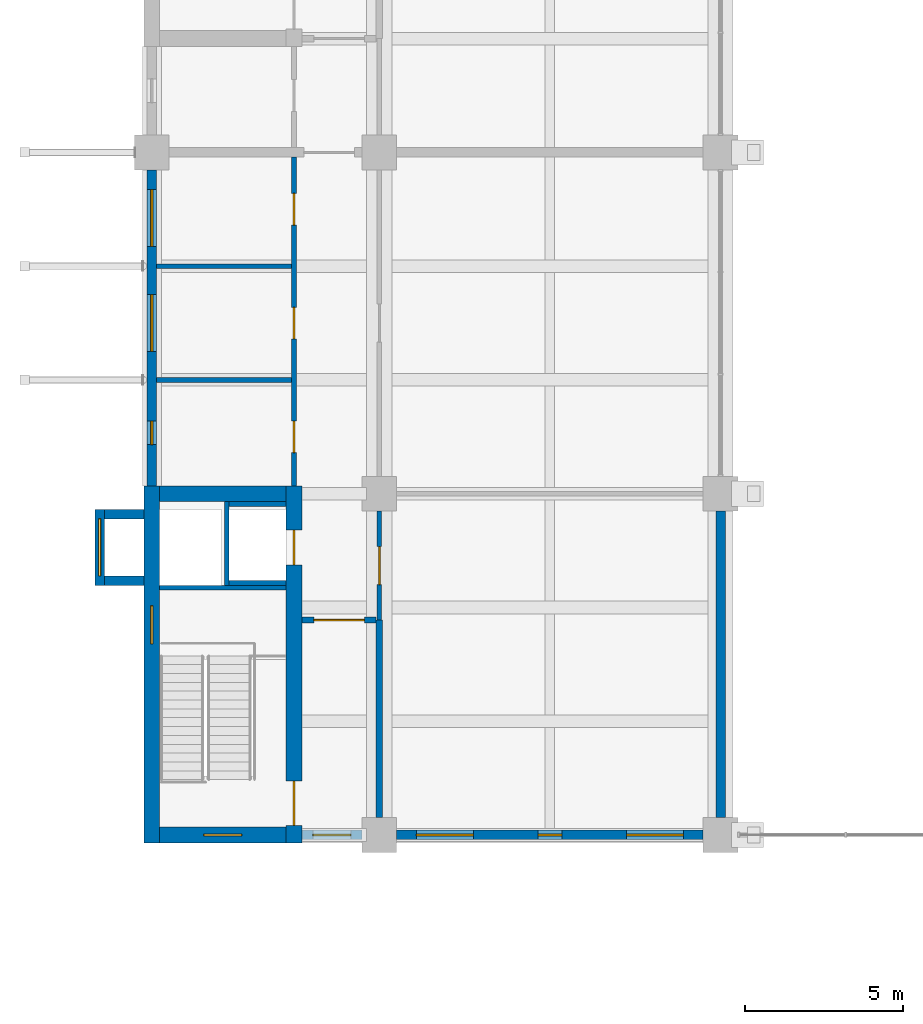
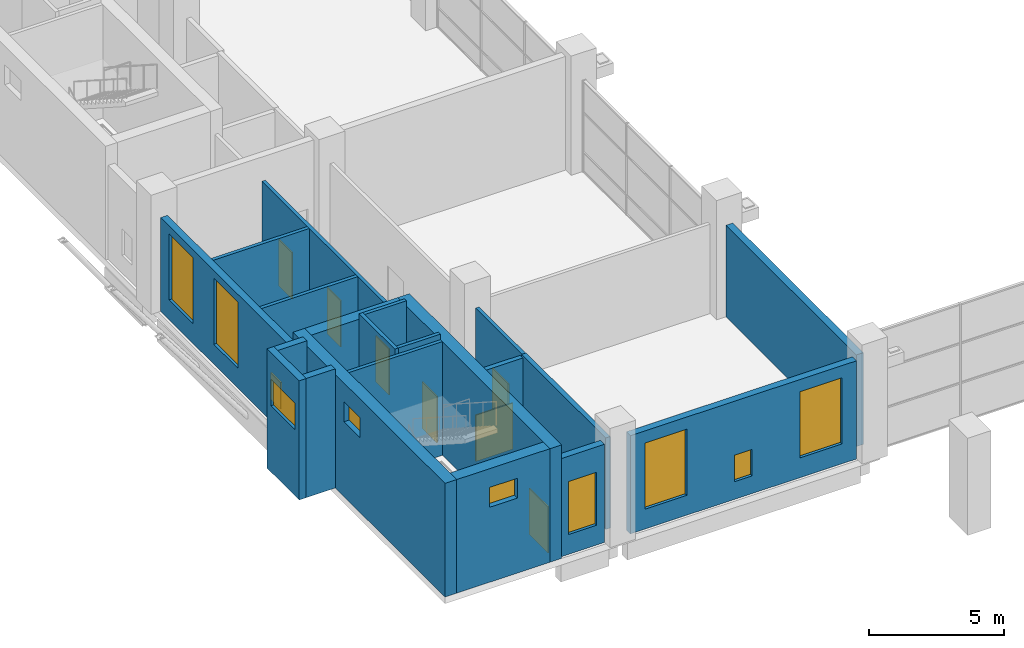
# One storey, part 17 of 38: 21 walls, 10 windows, 7 doors, 17 openings.
"""IFC4 building model written with IfcOpenShell, lengths in metres."""

from ifc_helpers import new_model, si_unit, direction, frame, frame_2d, origin, place, context, subcontext, project, spatial, rectangle, extrude, material, layer, layer_set, type_object, element, fill, save


model = new_model("IFC4")

# Units and contexts
model_context = context("Model", 3, precision=1e-05, world=origin(), true_north=direction((0.0, 1.0)))
body_context = subcontext(model_context, "Body", "Model", "MODEL_VIEW")
ifc_project = project(units=[si_unit("LENGTHUNIT", "METRE"), si_unit("AREAUNIT", "SQUARE_METRE"), si_unit("VOLUMEUNIT", "CUBIC_METRE"), si_unit("PLANEANGLEUNIT", "RADIAN"), si_unit("MASSUNIT", "GRAM", prefix="KILO")], contexts=[model_context])

# Site, building, storey
site_placement = place(None, origin())
site = spatial("IfcSite", under=ifc_project, at=site_placement, CompositionType="ELEMENT")
building_placement = place(site_placement, origin())
building = spatial("IfcBuilding", under=site, at=building_placement, Name="Basin Gate Institute", CompositionType="ELEMENT")
storey_placement = place(building_placement, frame((0.0, 0.0, 16.800048828125)))
storey = spatial("IfcBuildingStorey", under=building, at=storey_placement, Name="L03", CompositionType="ELEMENT", Elevation=16.800048828125)

# Wall
ifc_material_1 = material(Name="Fire-resisting board wall assembly")
ifc_layer_1 = layer(ifc_material_1, 0.300048828125)
ifc_layer_set_1 = layer_set([ifc_layer_1], Name="Atrium enclosure wall EW4")
wall_type_1 = type_object("IfcWallType", Name="Atrium enclosure wall EW4", PredefinedType="STANDARD", material=ifc_layer_set_1)
wall_1_placement = place(storey_placement, frame((79.199951171875, 35.64990234375, 0.0), z_axis=(0.0, 0.0, 1.0), x_axis=(0.0, 1.0, 0.0)))
element("IfcWall", 1, at=wall_1_placement, inside=storey, type_object=wall_type_1, material=ifc_layer_set_1, Name="Atrium enclosure wall W wing bay 1 L03", PredefinedType="STANDARD", context=body_context, shape_type="SweptSolid", body=[
    extrude(rectangle(XDim=9.7001953125, YDim=0.300048828125, at=frame_2d((4.85009765625, 0.0))), origin(), (0.0, 0.0, 1.0), 4.14990234375),
])

# Wall, opening, door
ifc_material_2 = material(Name="Fire-rated masonry", Category="masonry")
ifc_layer_2 = layer(ifc_material_2, 0.199951171875)
ifc_layer_set_2 = layer_set([ifc_layer_2], Name="Enclosure wall PW2 200 EI 60")
wall_type_2 = type_object("IfcWallType", Name="Enclosure wall PW2 200 EI 60", PredefinedType="PARTITIONING", material=ifc_layer_set_2)
wall_2_placement = place(storey_placement, frame((65.949951171875, 41.89990234375, 0.0), z_axis=(0.0, 0.0, 1.0), x_axis=(1.0, 0.0, 0.0)))
wall_2 = element("IfcWall", 2, at=wall_2_placement, inside=storey, type_object=wall_type_2, material=ifc_layer_set_2, Name="Smoke lobby enclosure wall PW2 L03", PredefinedType="PARTITIONING", context=body_context, shape_type="SweptSolid", body=[
    extrude(rectangle(XDim=2.35009765625, YDim=0.199951171875, at=frame_2d((1.175048828125, 0.0))), origin(), (0.0, 0.0, 1.0), 4.050048828125),
])
opening_1_placement = place(wall_2_placement, frame((0.375, 0.0, 0.0)))
opening_1 = element("IfcOpeningElement", 3, at=opening_1_placement, cuts=wall_2, Name="Opening DR191", PredefinedType="OPENING", context=body_context, shape_type="SweptSolid", body=[
    extrude(rectangle(XDim=1.60009765625, YDim=2.10009765625, at=frame_2d((0.800048828125, 1.050048828125))), frame((0.0, 0.10986328125, 0.0), z_axis=(0.0, -1.0, 0.0), x_axis=(1.0, 0.0, 0.0)), (0.0, 0.0, 1.0), 0.219970703125),
])
ifc_material_3 = material(Name="Steel fire door", Category="steel")
door_type_1 = type_object("IfcDoorType", Name="FD60 Smoke lobby door pair D8", OperationType="DOUBLE_DOOR_SINGLE_SWING", PredefinedType="DOOR", material=ifc_material_3)
door_1_placement = place(opening_1_placement, frame((1.60009765625, 0.0, 0.0), z_axis=(0.0, 0.0, 1.0), x_axis=(-1.0, 0.0, 0.0)))
door_1 = element("IfcDoor", 4, at=door_1_placement, inside=storey, type_object=door_type_1, material=ifc_material_3, Name="Smoke lobby door SS1 L03", OperationType="DOUBLE_DOOR_SINGLE_SWING", OverallHeight=2.10009765625, OverallWidth=1.60009765625, PredefinedType="DOOR", context=body_context, shape_type="SweptSolid", body=[
    extrude(rectangle(XDim=1.60009765625, YDim=2.10009765625, at=frame_2d((0.800048828125, 1.050048828125))), frame((0.0, 0.02490234375, 0.0), z_axis=(0.0, -1.0, 0.0), x_axis=(1.0, 0.0, 0.0)), (0.0, 0.0, 1.0), 0.050048828125),
])
fill(opening_1, door_1)

# Wall
wall_3_placement = place(storey_placement, frame((68.39990234375, 35.64990234375, 0.0), z_axis=(0.0, 0.0, 1.0), x_axis=(0.0, 1.0, 0.0)))
element("IfcWall", 5, at=wall_3_placement, inside=storey, type_object=wall_type_2, material=ifc_layer_set_2, Name="Smoke lobby enclosure wall PW2 L03", PredefinedType="PARTITIONING", context=body_context, shape_type="SweptSolid", body=[
    extrude(rectangle(XDim=6.25, YDim=0.199951171875, at=frame_2d((3.125, 0.0))), origin(), (0.0, 0.0, 1.0), 4.14990234375),
])

# Wall, openings, windows
ifc_material_4 = material(Name="Aluminium-faced insulated panel wall", Category="aluminium")
ifc_layer_3 = layer(ifc_material_4, 0.300048828125)
ifc_layer_set_3 = layer_set([ifc_layer_3], Name="External wall EW1 EI 120")
wall_type_3 = type_object("IfcWallType", Name="External wall EW1 EI 120", PredefinedType="STANDARD", material=ifc_layer_set_3)
wall_4_placement = place(storey_placement, frame((61.199951171875, 46.14990234375, 0.0), z_axis=(0.0, 0.0, 1.0), x_axis=(0.0, 1.0, 0.0)))
wall_4 = element("IfcWall", 6, at=wall_4_placement, inside=storey, type_object=wall_type_3, material=ifc_layer_set_3, Name="External wall W facade L03 1", PredefinedType="STANDARD", context=body_context, shape_type="SweptSolid", body=[
    extrude(rectangle(XDim=10.0, YDim=0.300048828125, at=frame_2d((5.0, 0.0))), origin(), (0.0, 0.0, 1.0), 4.25),
])
opening_2_placement = place(wall_4_placement, frame((1.300048828125, 0.0, 0.800048828125)))
opening_2 = element("IfcOpeningElement", 7, at=opening_2_placement, cuts=wall_4, Name="Opening WN3", PredefinedType="OPENING", context=body_context, shape_type="SweptSolid", body=[
    extrude(rectangle(XDim=0.75, YDim=1.199951171875, at=frame_2d((0.375, 0.60009765625))), frame((0.0, 0.16015625, 0.0), z_axis=(0.0, -1.0, 0.0), x_axis=(1.0, 0.0, 0.0)), (0.0, 0.0, 1.0), 0.320068359375),
])
opening_3_placement = place(wall_4_placement, frame((4.25, 0.0, 0.89990234375)))
opening_3 = element("IfcOpeningElement", 8, at=opening_3_placement, cuts=wall_4, Name="Opening WN2", PredefinedType="OPENING", context=body_context, shape_type="SweptSolid", body=[
    extrude(rectangle(XDim=1.800048828125, YDim=3.0, at=frame_2d((0.89990234375, 1.5))), frame((0.0, 0.16015625, 0.0), z_axis=(0.0, -1.0, 0.0), x_axis=(1.0, 0.0, 0.0)), (0.0, 0.0, 1.0), 0.320068359375),
])
opening_4_placement = place(wall_4_placement, frame((7.574951171875, 0.0, 0.89990234375)))
opening_4 = element("IfcOpeningElement", 9, at=opening_4_placement, cuts=wall_4, Name="Opening WN2", PredefinedType="OPENING", context=body_context, shape_type="SweptSolid", body=[
    extrude(rectangle(XDim=1.800048828125, YDim=3.0, at=frame_2d((0.89990234375, 1.5))), frame((0.0, 0.16015625, 0.0), z_axis=(0.0, -1.0, 0.0), x_axis=(1.0, 0.0, 0.0)), (0.0, 0.0, 1.0), 0.320068359375),
])
ifc_material_5 = material(Name="Aluminium-framed double glazing", Category="aluminium")
window_type_1 = type_object("IfcWindowType", Name="Emergency entry panel WN3", PartitioningType="SINGLE_PANEL", PredefinedType="WINDOW", material=ifc_material_5)
window_1_placement = place(opening_2_placement, origin())
window_1 = element("IfcWindow", 10, at=window_1_placement, inside=storey, type_object=window_type_1, material=ifc_material_5, Name="Emergency entry panel W facade L03 bay 4", OverallHeight=1.199951171875, OverallWidth=0.75, PartitioningType="SINGLE_PANEL", PredefinedType="WINDOW", context=body_context, shape_type="SweptSolid", body=[
    extrude(rectangle(XDim=0.75, YDim=1.199951171875, at=frame_2d((0.375, 0.60009765625))), frame((0.0, 0.030029296875, 0.0), z_axis=(0.0, -1.0, 0.0), x_axis=(1.0, 0.0, 0.0)), (0.0, 0.0, 1.0), 0.06005859375),
])
fill(opening_2, window_1)
ifc_material_6 = material(Name="Aluminium-framed double glazing", Category="aluminium")
window_type_2 = type_object("IfcWindowType", Name="Podium window WN2", PartitioningType="SINGLE_PANEL", PredefinedType="WINDOW", material=ifc_material_6)
window_2_placement = place(opening_3_placement, origin())
window_2 = element("IfcWindow", 11, at=window_2_placement, inside=storey, type_object=window_type_2, material=ifc_material_6, Name="Podium window W facade L03 bay 5", OverallHeight=3.0, OverallWidth=1.800048828125, PartitioningType="SINGLE_PANEL", PredefinedType="WINDOW", context=body_context, shape_type="SweptSolid", body=[
    extrude(rectangle(XDim=1.800048828125, YDim=3.0, at=frame_2d((0.89990234375, 1.5))), frame((0.0, 0.030029296875, 0.0), z_axis=(0.0, -1.0, 0.0), x_axis=(1.0, 0.0, 0.0)), (0.0, 0.0, 1.0), 0.06005859375),
])
fill(opening_3, window_2)
window_3_placement = place(opening_4_placement, origin())
window_3 = element("IfcWindow", 12, at=window_3_placement, inside=storey, type_object=window_type_2, material=ifc_material_6, Name="Podium window W facade L03 bay 6", OverallHeight=3.0, OverallWidth=1.800048828125, PartitioningType="SINGLE_PANEL", PredefinedType="WINDOW", context=body_context, shape_type="SweptSolid", body=[
    extrude(rectangle(XDim=1.800048828125, YDim=3.0, at=frame_2d((0.89990234375, 1.5))), frame((0.0, 0.030029296875, 0.0), z_axis=(0.0, -1.0, 0.0), x_axis=(1.0, 0.0, 0.0)), (0.0, 0.0, 1.0), 0.06005859375),
])
fill(opening_4, window_3)

# Wall, opening, window
wall_5_placement = place(storey_placement, frame((65.949951171875, 35.10009765625, 0.0), z_axis=(0.0, 0.0, 1.0), x_axis=(1.0, 0.0, 0.0)))
wall_5 = element("IfcWall", 13, at=wall_5_placement, inside=storey, type_object=wall_type_3, material=ifc_layer_set_3, Name="External end wall W wing south L03 1", PredefinedType="STANDARD", context=body_context, shape_type="SweptSolid", body=[
    extrude(rectangle(XDim=1.900146484375, YDim=0.300048828125, at=frame_2d((0.9501953125, 0.0))), origin(), (0.0, 0.0, 1.0), 4.449951171875),
])
opening_5_placement = place(wall_5_placement, frame((0.35009765625, 0.0, 0.89990234375)))
opening_5 = element("IfcOpeningElement", 14, at=opening_5_placement, cuts=wall_5, Name="Opening WN4", PredefinedType="OPENING", context=body_context, shape_type="SweptSolid", body=[
    extrude(rectangle(XDim=1.199951171875, YDim=2.39990234375, at=frame_2d((0.60009765625, 1.199951171875))), frame((0.0, 0.16015625, 0.0), z_axis=(0.0, -1.0, 0.0), x_axis=(1.0, 0.0, 0.0)), (0.0, 0.0, 1.0), 0.320068359375),
])
ifc_material_7 = material(Name="Aluminium-framed double glazing", Category="aluminium")
window_type_3 = type_object("IfcWindowType", Name="Corridor end window WN4", PartitioningType="SINGLE_PANEL", PredefinedType="WINDOW", material=ifc_material_7)
window_4_placement = place(opening_5_placement, origin())
window_4 = element("IfcWindow", 15, at=window_4_placement, inside=storey, type_object=window_type_3, material=ifc_material_7, Name="Corridor end window W wing S L03", OverallHeight=2.39990234375, OverallWidth=1.199951171875, PartitioningType="SINGLE_PANEL", PredefinedType="WINDOW", context=body_context, shape_type="SweptSolid", body=[
    extrude(rectangle(XDim=1.199951171875, YDim=2.39990234375, at=frame_2d((0.60009765625, 1.199951171875))), frame((0.0, 0.030029296875, 0.0), z_axis=(0.0, -1.0, 0.0), x_axis=(1.0, 0.0, 0.0)), (0.0, 0.0, 1.0), 0.06005859375),
])
fill(opening_5, window_4)

# Wall, openings, windows
wall_6_placement = place(storey_placement, frame((68.949951171875, 35.10009765625, 0.0), z_axis=(0.0, 0.0, 1.0), x_axis=(1.0, 0.0, 0.0)))
wall_6 = element("IfcWall", 16, at=wall_6_placement, inside=storey, type_object=wall_type_3, material=ifc_layer_set_3, Name="External end wall W wing south L03 2", PredefinedType="STANDARD", context=body_context, shape_type="SweptSolid", body=[
    extrude(rectangle(XDim=9.699951171875, YDim=0.300048828125, at=frame_2d((4.85009765625, 0.0))), origin(), (0.0, 0.0, 1.0), 4.449951171875),
])
opening_6_placement = place(wall_6_placement, frame((0.625, 0.0, 0.89990234375)))
opening_6 = element("IfcOpeningElement", 17, at=opening_6_placement, cuts=wall_6, Name="Opening WN2", PredefinedType="OPENING", context=body_context, shape_type="SweptSolid", body=[
    extrude(rectangle(XDim=1.800048828125, YDim=3.0, at=frame_2d((0.89990234375, 1.5))), frame((0.0, 0.16015625, 0.0), z_axis=(0.0, -1.0, 0.0), x_axis=(1.0, 0.0, 0.0)), (0.0, 0.0, 1.0), 0.320068359375),
])
opening_7_placement = place(wall_6_placement, frame((4.47509765625, 0.0, 0.800048828125)))
opening_7 = element("IfcOpeningElement", 18, at=opening_7_placement, cuts=wall_6, Name="Opening WN3", PredefinedType="OPENING", context=body_context, shape_type="SweptSolid", body=[
    extrude(rectangle(XDim=0.75, YDim=1.199951171875, at=frame_2d((0.375, 0.60009765625))), frame((0.0, 0.16015625, 0.0), z_axis=(0.0, -1.0, 0.0), x_axis=(1.0, 0.0, 0.0)), (0.0, 0.0, 1.0), 0.320068359375),
])
opening_8_placement = place(wall_6_placement, frame((7.27490234375, 0.0, 0.89990234375)))
opening_8 = element("IfcOpeningElement", 19, at=opening_8_placement, cuts=wall_6, Name="Opening WN2", PredefinedType="OPENING", context=body_context, shape_type="SweptSolid", body=[
    extrude(rectangle(XDim=1.800048828125, YDim=3.0, at=frame_2d((0.89990234375, 1.5))), frame((0.0, 0.16015625, 0.0), z_axis=(0.0, -1.0, 0.0), x_axis=(1.0, 0.0, 0.0)), (0.0, 0.0, 1.0), 0.320068359375),
])
window_5_placement = place(opening_7_placement, origin())
window_5 = element("IfcWindow", 20, at=window_5_placement, inside=storey, type_object=window_type_1, material=ifc_material_5, Name="Emergency entry panel W wing end S L03 bay 2", OverallHeight=1.199951171875, OverallWidth=0.75, PartitioningType="SINGLE_PANEL", PredefinedType="WINDOW", context=body_context, shape_type="SweptSolid", body=[
    extrude(rectangle(XDim=0.75, YDim=1.199951171875, at=frame_2d((0.375, 0.60009765625))), frame((0.0, 0.030029296875, 0.0), z_axis=(0.0, -1.0, 0.0), x_axis=(1.0, 0.0, 0.0)), (0.0, 0.0, 1.0), 0.06005859375),
])
fill(opening_7, window_5)
window_6_placement = place(opening_6_placement, origin())
window_6 = element("IfcWindow", 21, at=window_6_placement, inside=storey, type_object=window_type_2, material=ifc_material_6, Name="Podium window W wing end S L03 bay 1", OverallHeight=3.0, OverallWidth=1.800048828125, PartitioningType="SINGLE_PANEL", PredefinedType="WINDOW", context=body_context, shape_type="SweptSolid", body=[
    extrude(rectangle(XDim=1.800048828125, YDim=3.0, at=frame_2d((0.89990234375, 1.5))), frame((0.0, 0.030029296875, 0.0), z_axis=(0.0, -1.0, 0.0), x_axis=(1.0, 0.0, 0.0)), (0.0, 0.0, 1.0), 0.06005859375),
])
fill(opening_6, window_6)
window_7_placement = place(opening_8_placement, origin())
window_7 = element("IfcWindow", 22, at=window_7_placement, inside=storey, type_object=window_type_2, material=ifc_material_6, Name="Podium window W wing end S L03 bay 3", OverallHeight=3.0, OverallWidth=1.800048828125, PartitioningType="SINGLE_PANEL", PredefinedType="WINDOW", context=body_context, shape_type="SweptSolid", body=[
    extrude(rectangle(XDim=1.800048828125, YDim=3.0, at=frame_2d((0.89990234375, 1.5))), frame((0.0, 0.030029296875, 0.0), z_axis=(0.0, -1.0, 0.0), x_axis=(1.0, 0.0, 0.0)), (0.0, 0.0, 1.0), 0.06005859375),
])
fill(opening_8, window_7)

# Wall, openings, doors
ifc_material_8 = material(Name="Gypsum board on steel stud", Category="steel")
ifc_layer_4 = layer(ifc_material_8, 0.14990234375)
ifc_layer_set_4 = layer_set([ifc_layer_4], Name="Gypsum board on steel stud")
wall_type_4 = type_object("IfcWallType", Name="Partition PW1 150 EI 60", PredefinedType="PARTITIONING", material=ifc_layer_set_4)
wall_7_placement = place(storey_placement, frame((65.699951171875, 46.14990234375, 0.0), z_axis=(0.0, 0.0, 1.0), x_axis=(0.0, 1.0, 0.0)))
wall_7 = element("IfcWall", 23, at=wall_7_placement, inside=storey, type_object=wall_type_4, material=ifc_layer_set_4, Name="Corridor wall PW1 L03", PredefinedType="PARTITIONING", context=body_context, shape_type="SweptSolid", body=[
    extrude(rectangle(XDim=10.400146484375, YDim=0.14990234375, at=frame_2d((5.2001953125, 0.0))), origin(), (0.0, 0.0, 1.0), 4.050048828125),
])
opening_9_placement = place(wall_7_placement, frame((8.25, 0.0, 0.0)))
opening_9 = element("IfcOpeningElement", 24, at=opening_9_placement, cuts=wall_7, Name="Opening DR177", PredefinedType="OPENING", context=body_context, shape_type="SweptSolid", body=[
    extrude(rectangle(XDim=1.0, YDim=2.10009765625, at=frame_2d((0.5, 1.050048828125))), frame((0.0, 0.0849609375, 0.0), z_axis=(0.0, -1.0, 0.0), x_axis=(1.0, 0.0, 0.0)), (0.0, 0.0, 1.0), 0.169921875),
])
opening_10_placement = place(wall_7_placement, frame((4.64990234375, 0.0, 0.0)))
opening_10 = element("IfcOpeningElement", 25, at=opening_10_placement, cuts=wall_7, Name="Opening DR180", PredefinedType="OPENING", context=body_context, shape_type="SweptSolid", body=[
    extrude(rectangle(XDim=1.0, YDim=2.10009765625, at=frame_2d((0.5, 1.050048828125))), frame((0.0, 0.0849609375, 0.0), z_axis=(0.0, -1.0, 0.0), x_axis=(1.0, 0.0, 0.0)), (0.0, 0.0, 1.0), 0.169921875),
])
opening_11_placement = place(wall_7_placement, frame((1.050048828125, 0.0, 0.0)))
opening_11 = element("IfcOpeningElement", 26, at=opening_11_placement, cuts=wall_7, Name="Opening DR186", PredefinedType="OPENING", context=body_context, shape_type="SweptSolid", body=[
    extrude(rectangle(XDim=1.0, YDim=2.10009765625, at=frame_2d((0.5, 1.050048828125))), frame((0.0, 0.0849609375, 0.0), z_axis=(0.0, -1.0, 0.0), x_axis=(1.0, 0.0, 0.0)), (0.0, 0.0, 1.0), 0.169921875),
])
ifc_material_9 = material(Name="Timber fire door", Category="wood")
door_type_2 = type_object("IfcDoorType", Name="FD30 Office door D1", OperationType="NOTDEFINED", PredefinedType="DOOR", material=ifc_material_9)
door_2_placement = place(opening_10_placement, origin())
door_2 = element("IfcDoor", 27, at=door_2_placement, inside=storey, type_object=door_type_2, material=ifc_material_9, Name="Door to Meeting Room 0302 L03", OperationType="SINGLE_SWING_LEFT", OverallHeight=2.10009765625, OverallWidth=1.0, PredefinedType="DOOR", context=body_context, shape_type="SweptSolid", body=[
    extrude(rectangle(XDim=1.0, YDim=2.10009765625, at=frame_2d((0.5, 1.050048828125))), frame((0.0, 0.02490234375, 0.0), z_axis=(0.0, -1.0, 0.0), x_axis=(1.0, 0.0, 0.0)), (0.0, 0.0, 1.0), 0.050048828125),
])
fill(opening_10, door_2)
door_3_placement = place(opening_11_placement, origin())
door_3 = element("IfcDoor", 28, at=door_3_placement, inside=storey, type_object=door_type_2, material=ifc_material_9, Name="Door to Write-up Office 0301 L03", OperationType="SINGLE_SWING_LEFT", OverallHeight=2.10009765625, OverallWidth=1.0, PredefinedType="DOOR", context=body_context, shape_type="SweptSolid", body=[
    extrude(rectangle(XDim=1.0, YDim=2.10009765625, at=frame_2d((0.5, 1.050048828125))), frame((0.0, 0.02490234375, 0.0), z_axis=(0.0, -1.0, 0.0), x_axis=(1.0, 0.0, 0.0)), (0.0, 0.0, 1.0), 0.050048828125),
])
fill(opening_11, door_3)
ifc_material_10 = material(Name="Timber fire door", Category="wood")
door_type_3 = type_object("IfcDoorType", Name="FD30 Toilet door D3", OperationType="NOTDEFINED", PredefinedType="DOOR", material=ifc_material_10)
door_4_placement = place(opening_9_placement, origin())
door_4 = element("IfcDoor", 29, at=door_4_placement, inside=storey, type_object=door_type_3, material=ifc_material_10, Name="Door to Female WC L03", OperationType="SINGLE_SWING_RIGHT", OverallHeight=2.10009765625, OverallWidth=1.0, PredefinedType="DOOR", context=body_context, shape_type="SweptSolid", body=[
    extrude(rectangle(XDim=1.0, YDim=2.10009765625, at=frame_2d((0.5, 1.050048828125))), frame((0.0, 0.02490234375, 0.0), z_axis=(0.0, -1.0, 0.0), x_axis=(1.0, 0.0, 0.0)), (0.0, 0.0, 1.0), 0.050048828125),
])
fill(opening_9, door_4)

# Wall, opening, door
wall_8_placement = place(storey_placement, frame((68.39990234375, 41.89990234375, 0.0), z_axis=(0.0, 0.0, 1.0), x_axis=(0.0, 1.0, 0.0)))
wall_8 = element("IfcWall", 30, at=wall_8_placement, inside=storey, type_object=wall_type_4, material=ifc_layer_set_4, Name="Laboratory corridor wall PW1 L03", PredefinedType="PARTITIONING", context=body_context, shape_type="SweptSolid", body=[
    extrude(rectangle(XDim=3.4501953125, YDim=0.14990234375, at=frame_2d((1.72509765625, 0.0))), origin(), (0.0, 0.0, 1.0), 4.14990234375),
])
opening_12_placement = place(wall_8_placement, frame((1.125, 0.0, 0.0)))
opening_12 = element("IfcOpeningElement", 31, at=opening_12_placement, cuts=wall_8, Name="Opening DR178", PredefinedType="OPENING", context=body_context, shape_type="SweptSolid", body=[
    extrude(rectangle(XDim=1.199951171875, YDim=2.10009765625, at=frame_2d((0.60009765625, 1.050048828125))), frame((0.0, 0.0849609375, 0.0), z_axis=(0.0, -1.0, 0.0), x_axis=(1.0, 0.0, 0.0)), (0.0, 0.0, 1.0), 0.169921875),
])
ifc_material_11 = material(Name="Timber fire door", Category="wood")
door_type_4 = type_object("IfcDoorType", Name="FD30 Laboratory door D2", OperationType="DOUBLE_DOOR_SINGLE_SWING", PredefinedType="DOOR", material=ifc_material_11)
door_5_placement = place(opening_12_placement, frame((1.199951171875, 0.0, 0.0), z_axis=(0.0, 0.0, 1.0), x_axis=(-1.0, 0.0, 0.0)))
door_5 = element("IfcDoor", 32, at=door_5_placement, inside=storey, type_object=door_type_4, material=ifc_material_11, Name="Door to Instrument Room 0317 L03", OperationType="DOUBLE_DOOR_SINGLE_SWING", OverallHeight=2.10009765625, OverallWidth=1.199951171875, PredefinedType="DOOR", context=body_context, shape_type="SweptSolid", body=[
    extrude(rectangle(XDim=1.199951171875, YDim=2.10009765625, at=frame_2d((0.60009765625, 1.050048828125))), frame((0.0, 0.02490234375, 0.0), z_axis=(0.0, -1.0, 0.0), x_axis=(1.0, 0.0, 0.0)), (0.0, 0.0, 1.0), 0.050048828125),
])
fill(opening_12, door_5)

# Walls
ifc_material_12 = material(Name="Gypsum board on steel stud", Category="steel")
ifc_layer_5 = layer(ifc_material_12, 0.14990234375)
ifc_layer_set_5 = layer_set([ifc_layer_5], Name="Gypsum board on steel stud")
wall_type_5 = type_object("IfcWallType", Name="Partition PW4 150", PredefinedType="PARTITIONING", material=ifc_layer_set_5)
for number, where, z_axis, x_axis, name in (
    (33, (61.35009765625, 49.5, 0.0), (0.0, 0.0, 1.0), (1.0, 0.0, 0.0), "Office partition PW4 L03"),
    (34, (61.35009765625, 53.10009765625, 0.0), (0.0, 0.0, 1.0), (1.0, 0.0, 0.0), "Toilet partition PW4 L03"),
):
    element("IfcWall", number, at=place(storey_placement, frame(where, z_axis=z_axis, x_axis=x_axis)), inside=storey, type_object=wall_type_5, material=ifc_layer_set_5, Name=name, PredefinedType="PARTITIONING", context=body_context, shape_type="SweptSolid", body=[
        extrude(rectangle(XDim=4.27490234375, YDim=0.14990234375, at=frame_2d((2.137451171875, 0.0))), origin(), (0.0, 0.0, 1.0), 4.050048828125),
    ])
ifc_material_13 = material(Name="Concrete 40 MPa", Category="concrete")
ifc_layer_6 = layer(ifc_material_13, 0.14990234375)
ifc_layer_set_6 = layer_set([ifc_layer_6], Name="Concrete 40 MPa")
wall_type_6 = type_object("IfcWallType", Name="Wall LS1 lift shaft enclosure R180", PredefinedType="SOLIDWALL", material=ifc_layer_set_6)
wall_9_placement = place(storey_placement, frame((63.574951171875, 43.0, 0.0), z_axis=(0.0, 0.0, 1.0), x_axis=(0.0, 1.0, 0.0)))
element("IfcWall", 35, at=wall_9_placement, inside=storey, type_object=wall_type_6, material=ifc_layer_set_6, Name="Lift shaft enclosure LP1 L03 UL", PredefinedType="SOLIDWALL", context=body_context, shape_type="SweptSolid", body=[
    extrude(rectangle(XDim=2.64990234375, YDim=0.14990234375, at=frame_2d((1.324951171875, 0.0))), origin(), (0.0, 0.0, 1.0), 5.39990234375),
])
for number, where, z_axis, x_axis, name in (
    (36, (63.64990234375, 43.074951171875, 0.0), (0.0, 0.0, 1.0), (1.0, 0.0, 0.0), "Lift shaft enclosure LP1 L03 RL"),
    (37, (63.64990234375, 45.574951171875, 0.0), (0.0, 0.0, 1.0), (1.0, 0.0, 0.0), "Lift shaft enclosure LP1 L03 RH"),
):
    element("IfcWall", number, at=place(storey_placement, frame(where, z_axis=z_axis, x_axis=x_axis)), inside=storey, type_object=wall_type_6, material=ifc_layer_set_6, Name=name, PredefinedType="SOLIDWALL", context=body_context, shape_type="SweptSolid", body=[
        extrude(rectangle(XDim=1.800048828125, YDim=0.14990234375, at=frame_2d((0.89990234375, 0.0))), origin(), (0.0, 0.0, 1.0), 5.39990234375),
    ])
ifc_material_14 = material(Name="Concrete 40 MPa", Category="concrete")
ifc_layer_7 = layer(ifc_material_14, 0.14990234375)
ifc_layer_set_7 = layer_set([ifc_layer_7], Name="Concrete 40 MPa")
wall_type_7 = type_object("IfcWallType", Name="Wall SE1 stair enclosure R180", PredefinedType="SOLIDWALL", material=ifc_layer_set_7)
wall_10_placement = place(storey_placement, frame((61.449951171875, 42.925048828125, 0.0), z_axis=(0.0, 0.0, 1.0), x_axis=(1.0, 0.0, 0.0)))
element("IfcWall", 38, at=wall_10_placement, inside=storey, type_object=wall_type_7, material=ifc_layer_set_7, Name="Stair enclosure wall ST-WS L03", PredefinedType="SOLIDWALL", context=body_context, shape_type="SweptSolid", body=[
    extrude(rectangle(XDim=4.0, YDim=0.14990234375, at=frame_2d((2.0, 0.0))), origin(), (0.0, 0.0, 1.0), 5.14990234375),
])

# Wall, opening, window
ifc_material_15 = material(Name="Concrete 50 MPa", Category="concrete")
ifc_layer_8 = layer(ifc_material_15, 0.300048828125)
ifc_layer_set_8 = layer_set([ifc_layer_8], Name="Concrete 50 MPa")
wall_type_8 = type_object("IfcWallType", Name="Wall SK1 R180", PredefinedType="SHEAR", material=ifc_layer_set_8)
wall_11_placement = place(storey_placement, frame((59.550048828125, 43.0, 0.0), z_axis=(0.0, 0.0, 1.0), x_axis=(0.0, 1.0, 0.0)))
wall_11 = element("IfcWall", 39, at=wall_11_placement, inside=storey, type_object=wall_type_8, material=ifc_layer_set_8, Name="Spine riser stack wall SK1 WS F L03", PredefinedType="SHEAR", context=body_context, shape_type="SweptSolid", body=[
    extrude(rectangle(XDim=2.39990234375, YDim=0.300048828125, at=frame_2d((1.199951171875, 0.0))), origin(), (0.0, 0.0, 1.0), 5.39990234375),
])
opening_13_placement = place(wall_11_placement, frame((0.300048828125, 0.0, 3.0)))
opening_13 = element("IfcOpeningElement", 40, at=opening_13_placement, cuts=wall_11, Name="Opening WL1", PredefinedType="OPENING", context=body_context, shape_type="SweptSolid", body=[
    extrude(rectangle(XDim=1.800048828125, YDim=1.199951171875, at=frame_2d((0.89990234375, 0.60009765625))), frame((0.0, 0.16015625, 0.0), z_axis=(0.0, -1.0, 0.0), x_axis=(1.0, 0.0, 0.0)), (0.0, 0.0, 1.0), 0.320068359375),
])
ifc_material_16 = material(Name="Aluminium louvre blades with fire damper", Category="aluminium")
window_type_4 = type_object("IfcWindowType", Name="Riser louvre EI 180 WL1", PartitioningType="SINGLE_PANEL", PredefinedType="WINDOW", material=ifc_material_16)
window_8_placement = place(opening_13_placement, origin())
window_8 = element("IfcWindow", 41, at=window_8_placement, inside=storey, type_object=window_type_4, material=ifc_material_16, Name="Riser louvre EI 180 WS riser 1 L03", OverallHeight=1.199951171875, OverallWidth=1.800048828125, PartitioningType="SINGLE_PANEL", PredefinedType="WINDOW", context=body_context, shape_type="SweptSolid", body=[
    extrude(rectangle(XDim=1.800048828125, YDim=1.199951171875, at=frame_2d((0.89990234375, 0.60009765625))), frame((0.0, 0.030029296875, 0.0), z_axis=(0.0, -1.0, 0.0), x_axis=(1.0, 0.0, 0.0)), (0.0, 0.0, 1.0), 0.06005859375),
])
fill(opening_13, window_8)

# Walls
for number, where, z_axis, x_axis, name in (
    (42, (60.949951171875, 43.14990234375, 0.0), (0.0, 0.0, 1.0), (-1.0, 0.0, 0.0), "Spine riser stack wall SK1 WS A L03"),
    (43, (60.949951171875, 45.25, 0.0), (0.0, 0.0, 1.0), (-1.0, 0.0, 0.0), "Spine riser stack wall SK1 WS B L03"),
):
    element("IfcWall", number, at=place(storey_placement, frame(where, z_axis=z_axis, x_axis=x_axis)), inside=storey, type_object=wall_type_8, material=ifc_layer_set_8, Name=name, PredefinedType="SHEAR", context=body_context, shape_type="SweptSolid", body=[
        extrude(rectangle(XDim=1.25, YDim=0.300048828125, at=frame_2d((0.625, 0.0))), origin(), (0.0, 0.0, 1.0), 5.39990234375),
    ])

# Wall, opening, window
ifc_material_17 = material(Name="Concrete 60 MPa", Category="concrete")
ifc_layer_9 = layer(ifc_material_17, 0.5)
ifc_layer_set_9 = layer_set([ifc_layer_9], Name="Concrete 60 MPa")
wall_type_9 = type_object("IfcWallType", Name="Wall SW1 R180", PredefinedType="SHEAR", material=ifc_layer_set_9)
wall_12_placement = place(storey_placement, frame((61.199951171875, 34.85009765625, 0.0), z_axis=(0.0, 0.0, 1.0), x_axis=(0.0, 1.0, 0.0)))
wall_12 = element("IfcWall", 44, at=wall_12_placement, inside=storey, type_object=wall_type_9, material=ifc_layer_set_9, Name="WALL/L03/WS/L", PredefinedType="SHEAR", context=body_context, shape_type="SweptSolid", body=[
    extrude(rectangle(XDim=11.2998046875, YDim=0.5, at=frame_2d((5.64990234375, 0.0))), origin(), (0.0, 0.0, 1.0), 5.14990234375),
])
opening_14_placement = place(wall_12_placement, frame((6.300048828125, 0.0, 3.39990234375)))
opening_14 = element("IfcOpeningElement", 45, at=opening_14_placement, cuts=wall_12, Name="Opening WT1", PredefinedType="OPENING", context=body_context, shape_type="SweptSolid", body=[
    extrude(rectangle(XDim=1.199951171875, YDim=0.89990234375, at=frame_2d((0.60009765625, 0.449951171875))), frame((0.0, 0.260009765625, 0.0), z_axis=(0.0, -1.0, 0.0), x_axis=(1.0, 0.0, 0.0)), (0.0, 0.0, 1.0), 0.52001953125),
])
ifc_material_18 = material(Name="Fire-resistant glazing in steel-free frame", Category="steel")
window_type_5 = type_object("IfcWindowType", Name="Rated stair window EI 180 WT1", PartitioningType="SINGLE_PANEL", PredefinedType="WINDOW", material=ifc_material_18)
window_9_placement = place(opening_14_placement, origin())
window_9 = element("IfcWindow", 46, at=window_9_placement, inside=storey, type_object=window_type_5, material=ifc_material_18, Name="Rated stair window EI 180 WS landing L03", OverallHeight=0.89990234375, OverallWidth=1.199951171875, PartitioningType="SINGLE_PANEL", PredefinedType="WINDOW", context=body_context, shape_type="SweptSolid", body=[
    extrude(rectangle(XDim=1.199951171875, YDim=0.89990234375, at=frame_2d((0.60009765625, 0.449951171875))), frame((0.0, 0.030029296875, 0.0), z_axis=(0.0, -1.0, 0.0), x_axis=(1.0, 0.0, 0.0)), (0.0, 0.0, 1.0), 0.06005859375),
])
fill(opening_14, window_9)

# Wall, openings, doors
wall_13_placement = place(storey_placement, frame((65.699951171875, 34.85009765625, 0.0), z_axis=(0.0, 0.0, 1.0), x_axis=(0.0, 1.0, 0.0)))
wall_13 = element("IfcWall", 47, at=wall_13_placement, inside=storey, type_object=wall_type_9, material=ifc_layer_set_9, Name="WALL/L03/WS/C", PredefinedType="SHEAR", context=body_context, shape_type="SweptSolid", body=[
    extrude(rectangle(XDim=11.2998046875, YDim=0.5, at=frame_2d((5.64990234375, 0.0))), origin(), (0.0, 0.0, 1.0), 5.14990234375),
])
opening_15_placement = place(wall_13_placement, frame((0.550048828125, 0.0, 0.0)))
opening_15 = element("IfcOpeningElement", 48, at=opening_15_placement, cuts=wall_13, Name="Opening DS019", PredefinedType="OPENING", context=body_context, shape_type="SweptSolid", body=[
    extrude(rectangle(XDim=1.39990234375, YDim=2.10009765625, at=frame_2d((0.699951171875, 1.050048828125))), frame((0.0, 0.260009765625, 0.0), z_axis=(0.0, -1.0, 0.0), x_axis=(1.0, 0.0, 0.0)), (0.0, 0.0, 1.0), 0.52001953125),
])
opening_16_placement = place(wall_13_placement, frame((8.800048828125, 0.0, 0.0)))
opening_16 = element("IfcOpeningElement", 49, at=opening_16_placement, cuts=wall_13, Name="Opening LD006", PredefinedType="OPENING", context=body_context, shape_type="SweptSolid", body=[
    extrude(rectangle(XDim=1.10009765625, YDim=2.10009765625, at=frame_2d((0.550048828125, 1.050048828125))), frame((0.0, 0.260009765625, 0.0), z_axis=(0.0, -1.0, 0.0), x_axis=(1.0, 0.0, 0.0)), (0.0, 0.0, 1.0), 0.52001953125),
])
ifc_material_19 = material(Name="Steel fire door", Category="steel")
door_type_5 = type_object("IfcDoorType", Name="FD30 Stair enclosure door DS", OperationType="DOUBLE_DOOR_SINGLE_SWING", PredefinedType="DOOR", material=ifc_material_19)
door_6_placement = place(opening_15_placement, origin())
door_6 = element("IfcDoor", 50, at=door_6_placement, inside=storey, type_object=door_type_5, material=ifc_material_19, Name="Stair enclosure door ST-WS L03", OperationType="DOUBLE_DOOR_SINGLE_SWING", OverallHeight=2.10009765625, OverallWidth=1.39990234375, PredefinedType="DOOR", context=body_context, shape_type="SweptSolid", body=[
    extrude(rectangle(XDim=1.39990234375, YDim=2.10009765625, at=frame_2d((0.699951171875, 1.050048828125))), frame((0.0, 0.02490234375, 0.0), z_axis=(0.0, -1.0, 0.0), x_axis=(1.0, 0.0, 0.0)), (0.0, 0.0, 1.0), 0.050048828125),
])
fill(opening_15, door_6)
ifc_material_20 = material(Name="Stainless steel", Category="steel")
door_type_6 = type_object("IfcDoorType", Name="FD60 Lift landing door LD", OperationType="SLIDING_TO_LEFT", PredefinedType="DOOR", material=ifc_material_20)
door_7_placement = place(opening_16_placement, origin())
door_7 = element("IfcDoor", 51, at=door_7_placement, inside=storey, type_object=door_type_6, material=ifc_material_20, Name="Lift landing door LP1 L03", OperationType="SLIDING_TO_LEFT", OverallHeight=2.10009765625, OverallWidth=1.10009765625, PredefinedType="DOOR", context=body_context, shape_type="SweptSolid", body=[
    extrude(rectangle(XDim=1.10009765625, YDim=2.10009765625, at=frame_2d((0.550048828125, 1.050048828125))), frame((0.0, 0.02490234375, 0.0), z_axis=(0.0, -1.0, 0.0), x_axis=(1.0, 0.0, 0.0)), (0.0, 0.0, 1.0), 0.050048828125),
])
fill(opening_16, door_7)

# Wall, opening, window
wall_14_placement = place(storey_placement, frame((61.449951171875, 35.10009765625, 0.0), z_axis=(0.0, 0.0, 1.0), x_axis=(1.0, 0.0, 0.0)))
wall_14 = element("IfcWall", 52, at=wall_14_placement, inside=storey, type_object=wall_type_9, material=ifc_layer_set_9, Name="WALL/L03/WS/S", PredefinedType="SHEAR", context=body_context, shape_type="SweptSolid", body=[
    extrude(rectangle(XDim=4.0, YDim=0.5, at=frame_2d((2.0, 0.0))), origin(), (0.0, 0.0, 1.0), 5.14990234375),
])
opening_17_placement = place(wall_14_placement, frame((1.39990234375, 0.0, 3.39990234375)))
opening_17 = element("IfcOpeningElement", 53, at=opening_17_placement, cuts=wall_14, Name="Opening WT1", PredefinedType="OPENING", context=body_context, shape_type="SweptSolid", body=[
    extrude(rectangle(XDim=1.199951171875, YDim=0.89990234375, at=frame_2d((0.60009765625, 0.449951171875))), frame((0.0, 0.260009765625, 0.0), z_axis=(0.0, -1.0, 0.0), x_axis=(1.0, 0.0, 0.0)), (0.0, 0.0, 1.0), 0.52001953125),
])
window_10_placement = place(opening_17_placement, origin())
window_10 = element("IfcWindow", 54, at=window_10_placement, inside=storey, type_object=window_type_5, material=ifc_material_18, Name="Rated stair window EI 180 WS end L03", OverallHeight=0.89990234375, OverallWidth=1.199951171875, PartitioningType="SINGLE_PANEL", PredefinedType="WINDOW", context=body_context, shape_type="SweptSolid", body=[
    extrude(rectangle(XDim=1.199951171875, YDim=0.89990234375, at=frame_2d((0.60009765625, 0.449951171875))), frame((0.0, 0.030029296875, 0.0), z_axis=(0.0, -1.0, 0.0), x_axis=(1.0, 0.0, 0.0)), (0.0, 0.0, 1.0), 0.06005859375),
])
fill(opening_17, window_10)

# Wall
wall_15_placement = place(storey_placement, frame((61.449951171875, 45.89990234375, 0.0), z_axis=(0.0, 0.0, 1.0), x_axis=(1.0, 0.0, 0.0)))
element("IfcWall", 55, at=wall_15_placement, inside=storey, type_object=wall_type_9, material=ifc_layer_set_9, Name="WALL/L03/WS/N", PredefinedType="SHEAR", context=body_context, shape_type="SweptSolid", body=[
    extrude(rectangle(XDim=4.0, YDim=0.5, at=frame_2d((2.0, 0.0))), origin(), (0.0, 0.0, 1.0), 5.14990234375),
])

save(model, "model.ifc")
